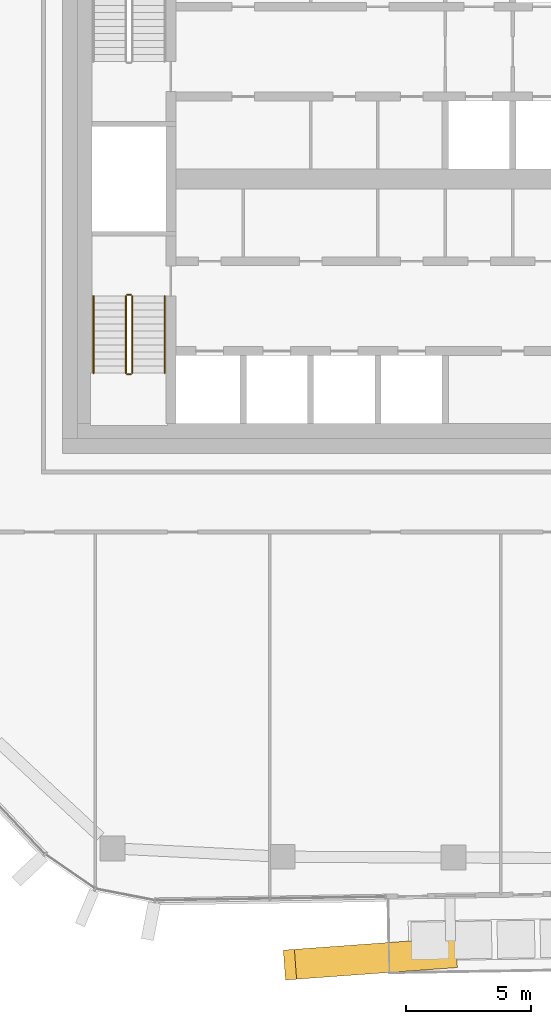
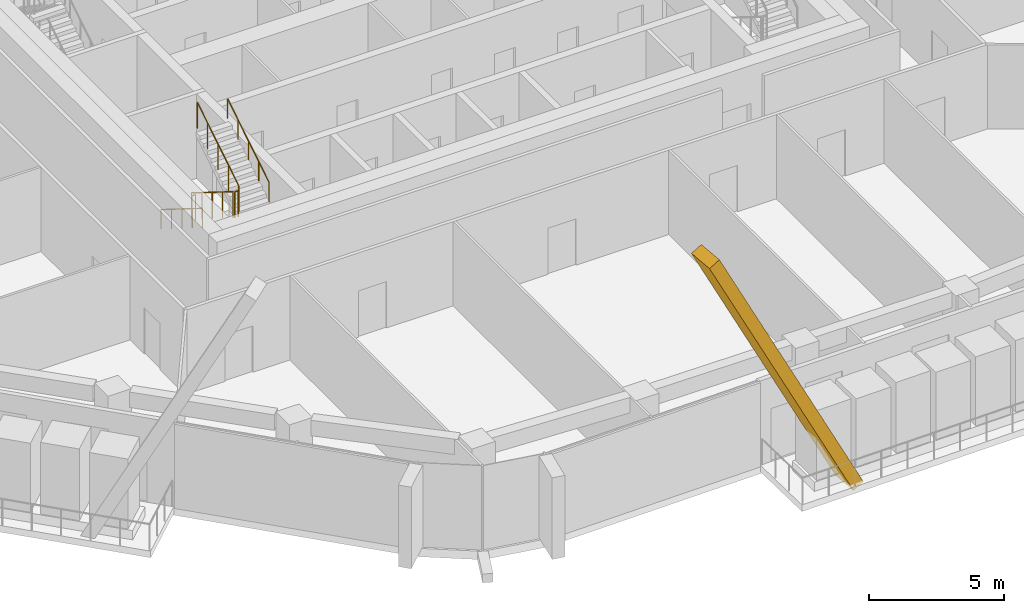
# One storey, part 19 of 24: 6 railings, 1 covering, 1 element without a shape of its own.
"""IFC4 building model written with IfcOpenShell, lengths in metres."""

from ifc_helpers import new_model, si_unit, direction, frame, origin, origin_2d, place, context, subcontext, project, spatial, rectangle, circle, extrude, material, layer, layer_set, material_profile, profile_set, type_object, element, aggregate, save


model = new_model("IFC4")

# Units and contexts
model_context = context("Model", 3, precision=1e-05, world=origin(), true_north=direction((0.0, 1.0)))
body_context = subcontext(model_context, "Body", "Model", "MODEL_VIEW")
ifc_project = project(units=[si_unit("LENGTHUNIT", "METRE"), si_unit("AREAUNIT", "SQUARE_METRE"), si_unit("VOLUMEUNIT", "CUBIC_METRE"), si_unit("PLANEANGLEUNIT", "RADIAN"), si_unit("MASSUNIT", "GRAM", prefix="KILO")], contexts=[model_context])

# Site, building, storey
site_placement = place(None, origin())
site = spatial("IfcSite", under=ifc_project, at=site_placement, CompositionType="ELEMENT")
building_placement = place(site_placement, origin())
building = spatial("IfcBuilding", under=site, at=building_placement, Name="Dongbaek Canopy Tower", CompositionType="ELEMENT")
storey_placement = place(building_placement, frame((0.0, 0.0, 298.39990234375)))
storey = spatial("IfcBuildingStorey", under=building, at=storey_placement, Name="L63", CompositionType="ELEMENT", Elevation=298.39990234375)

# Curtain wall, covering
ifc_material_1 = material(Name="Aluminium 6063-T6 pale anodised", Category="aluminium")
ifc_layer = layer(ifc_material_1, 0.199951171875)
ifc_layer_set = layer_set([ifc_layer], Name="CW-1 unitised tower curtain wall")
curtain_wall_type = type_object("IfcCurtainWallType", Name="CW-1 unitised tower curtain wall", PredefinedType="NOTDEFINED", material=ifc_layer_set)
curtain_wall_placement = place(storey_placement, origin())
curtain_wall = element("IfcCurtainWall", 1, at=curtain_wall_placement, inside=storey, type_object=curtain_wall_type, Name="CW-1 curtain wall F4.1", PredefinedType="NOTDEFINED")
ifc_material_2 = material(Name="Aluminium 6063-T6 pale metal fin", Category="aluminium")
ifc_material_profile = material_profile(ifc_material_2, rectangle(XDim=1.199951171875, YDim=0.5, at=origin_2d()), Name="Crease fin CF1 500 x 1200 pale metal")
ifc_profile_set = profile_set([ifc_material_profile], Name="Aluminium 6063-T6 pale metal fin")
covering_type = type_object("IfcCoveringType", Name="Crease fin CF1 500 x 1200 pale metal", PredefinedType="CLADDING", material=ifc_profile_set)
covering_placement = place(storey_placement, frame((1.5673828125, -31.023681640625, -0.18994140625), z_axis=(-0.455102897594, -0.033017201428, 0.889826509502), x_axis=(0.072358696786, -0.997378673824, 0.0)))
covering = element("IfcCovering", 2, at=covering_placement, type_object=covering_type, Name="Crease fin L63 L66 F4", PredefinedType="CLADDING", context=body_context, shape_type="SweptSolid", body=[
    extrude(rectangle(XDim=1.199951171875, YDim=0.5, at=origin_2d()), origin(), (0.0, 0.0, 1.0), 14.16015625),
])
aggregate(curtain_wall, [covering])

# Railings
ifc_material_3 = material(Name="Stainless steel tube and balusters", Category="steel")
railing_type_1 = type_object("IfcRailingType", Name="Stair guard 1200", PredefinedType="GUARDRAIL", material=ifc_material_3)
railing_1_placement = place(storey_placement, frame((-11.449951171875, -4.699951171875, 0.175048828125)))
element("IfcRailing", 3, at=railing_1_placement, inside=storey, type_object=railing_type_1, Name="L63 ST-D stair guard 1", PredefinedType="GUARDRAIL", context=body_context, shape_type="SweptSolid", body=[
    extrude(circle(Radius=0.02392578125, at=origin_2d()), frame((0.0, 0.0, 1.17578125), z_axis=(0.0, -0.847998304005, 0.529998940003), x_axis=(1.0, 0.0, 0.0)), (0.0, 0.0, 1.0), 3.632080078125),
    extrude(circle(Radius=0.02099609375, at=origin_2d()), origin(), (0.0, 0.0, 1.0), 1.15185546875),
    extrude(circle(Radius=0.02099609375, at=origin_2d()), frame((0.0, -0.77001953125, 0.481201171875)), (0.0, 0.0, 1.0), 1.15185546875),
    extrude(circle(Radius=0.02099609375, at=origin_2d()), frame((0.0, -1.5400390625, 0.96240234375)), (0.0, 0.0, 1.0), 1.15185546875),
    extrude(circle(Radius=0.02099609375, at=origin_2d()), frame((0.0, -2.31005859375, 1.44384765625)), (0.0, 0.0, 1.0), 1.15185546875),
    extrude(circle(Radius=0.02099609375, at=origin_2d()), frame((0.0, -3.080078125, 1.925048828125)), (0.0, 0.0, 1.0), 1.15185546875),
])
railing_2_placement = place(storey_placement, frame((-11.39990234375, -7.830078125, 2.10009765625)))
element("IfcRailing", 4, at=railing_2_placement, inside=storey, type_object=railing_type_1, Name="L63 ST-D stair guard 2", PredefinedType="GUARDRAIL", context=body_context, shape_type="SweptSolid", body=[
    extrude(circle(Radius=0.02392578125, at=origin_2d()), frame((0.0, 0.0, 1.17578125), z_axis=(1.0, 0.0, 0.0), x_axis=(0.0, 1.0, 0.0)), (0.0, 0.0, 1.0), 0.14990234375),
    extrude(circle(Radius=0.02099609375, at=origin_2d()), origin(), (0.0, 0.0, 1.0), 1.15185546875),
    extrude(circle(Radius=0.02099609375, at=origin_2d()), frame((0.14990234375, 0.0, 0.0)), (0.0, 0.0, 1.0), 1.15185546875),
])
railing_3_placement = place(storey_placement, frame((-11.199951171875, -7.780029296875, 2.275146484375)))
element("IfcRailing", 5, at=railing_3_placement, inside=storey, type_object=railing_type_1, Name="L63 ST-D stair guard 3", PredefinedType="GUARDRAIL", context=body_context, shape_type="SweptSolid", body=[
    extrude(circle(Radius=0.02392578125, at=origin_2d()), frame((0.0, 0.0, 1.17578125), z_axis=(0.0, 0.847998304005, 0.529998940003), x_axis=(-1.0, 0.0, 0.0)), (0.0, 0.0, 1.0), 3.632080078125),
    extrude(circle(Radius=0.02099609375, at=origin_2d()), origin(), (0.0, 0.0, 1.0), 1.15185546875),
    extrude(circle(Radius=0.02099609375, at=origin_2d()), frame((0.0, 0.77001953125, 0.481201171875)), (0.0, 0.0, 1.0), 1.15185546875),
    extrude(circle(Radius=0.02099609375, at=origin_2d()), frame((0.0, 1.5400390625, 0.96240234375)), (0.0, 0.0, 1.0), 1.15185546875),
    extrude(circle(Radius=0.02099609375, at=origin_2d()), frame((0.0, 2.31005859375, 1.44384765625)), (0.0, 0.0, 1.0), 1.15185546875),
    extrude(circle(Radius=0.02099609375, at=origin_2d()), frame((0.0, 3.080078125, 1.925048828125)), (0.0, 0.0, 1.0), 1.15185546875),
])
railing_4_placement = place(storey_placement, frame((-11.39990234375, -4.64990234375, 0.0)))
element("IfcRailing", 6, at=railing_4_placement, inside=storey, type_object=railing_type_1, Name="L63 ST-D stair guard 4", PredefinedType="GUARDRAIL", context=body_context, shape_type="SweptSolid", body=[
    extrude(circle(Radius=0.02392578125, at=origin_2d()), frame((0.0, 0.0, 1.17578125), z_axis=(1.0, 0.0, 0.0), x_axis=(0.0, 1.0, 0.0)), (0.0, 0.0, 1.0), 0.14990234375),
    extrude(circle(Radius=0.02099609375, at=origin_2d()), origin(), (0.0, 0.0, 1.0), 1.15185546875),
    extrude(circle(Radius=0.02099609375, at=origin_2d()), frame((0.14990234375, 0.0, 0.0)), (0.0, 0.0, 1.0), 1.15185546875),
])
ifc_material_4 = material(Name="Stainless steel tube", Category="steel")
railing_type_2 = type_object("IfcRailingType", Name="Stair handrail 900", PredefinedType="HANDRAIL", material=ifc_material_4)
railing_5_placement = place(storey_placement, frame((-12.75, -4.699951171875, 0.175048828125)))
element("IfcRailing", 7, at=railing_5_placement, inside=storey, type_object=railing_type_2, Name="L63 ST-D stair handrail 1", PredefinedType="HANDRAIL", context=body_context, shape_type="SweptSolid", body=[
    extrude(circle(Radius=0.02392578125, at=origin_2d()), frame((0.0, 0.0, 0.8759765625), z_axis=(0.0, -0.847998304005, 0.529998940003), x_axis=(1.0, 0.0, 0.0)), (0.0, 0.0, 1.0), 3.632080078125),
    extrude(circle(Radius=0.02099609375, at=origin_2d()), origin(), (0.0, 0.0, 1.0), 0.851806640625),
    extrude(circle(Radius=0.02099609375, at=origin_2d()), frame((0.0, -0.77001953125, 0.481201171875)), (0.0, 0.0, 1.0), 0.851806640625),
    extrude(circle(Radius=0.02099609375, at=origin_2d()), frame((0.0, -1.5400390625, 0.96240234375)), (0.0, 0.0, 1.0), 0.851806640625),
    extrude(circle(Radius=0.02099609375, at=origin_2d()), frame((0.0, -2.31005859375, 1.44384765625)), (0.0, 0.0, 1.0), 0.851806640625),
    extrude(circle(Radius=0.02099609375, at=origin_2d()), frame((0.0, -3.080078125, 1.925048828125)), (0.0, 0.0, 1.0), 0.851806640625),
])
railing_6_placement = place(storey_placement, frame((-9.89990234375, -7.780029296875, 2.275146484375)))
element("IfcRailing", 8, at=railing_6_placement, inside=storey, type_object=railing_type_2, Name="L63 ST-D stair handrail 2", PredefinedType="HANDRAIL", context=body_context, shape_type="SweptSolid", body=[
    extrude(circle(Radius=0.02392578125, at=origin_2d()), frame((0.0, 0.0, 0.8759765625), z_axis=(0.0, 0.847998304005, 0.529998940003), x_axis=(-1.0, 0.0, 0.0)), (0.0, 0.0, 1.0), 3.632080078125),
    extrude(circle(Radius=0.02099609375, at=origin_2d()), origin(), (0.0, 0.0, 1.0), 0.851806640625),
    extrude(circle(Radius=0.02099609375, at=origin_2d()), frame((0.0, 0.77001953125, 0.481201171875)), (0.0, 0.0, 1.0), 0.851806640625),
    extrude(circle(Radius=0.02099609375, at=origin_2d()), frame((0.0, 1.5400390625, 0.96240234375)), (0.0, 0.0, 1.0), 0.851806640625),
    extrude(circle(Radius=0.02099609375, at=origin_2d()), frame((0.0, 2.31005859375, 1.44384765625)), (0.0, 0.0, 1.0), 0.851806640625),
    extrude(circle(Radius=0.02099609375, at=origin_2d()), frame((0.0, 3.080078125, 1.925048828125)), (0.0, 0.0, 1.0), 0.851806640625),
])

save(model, "model.ifc")
